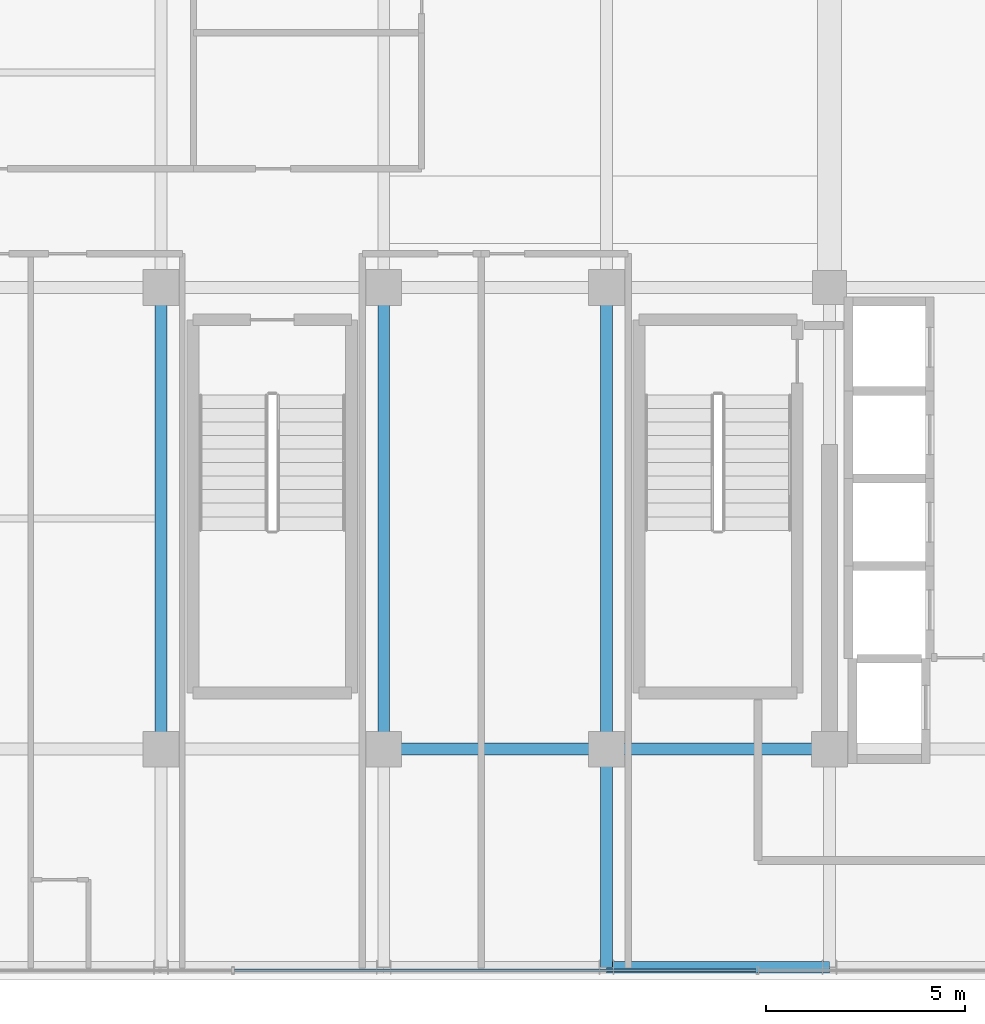
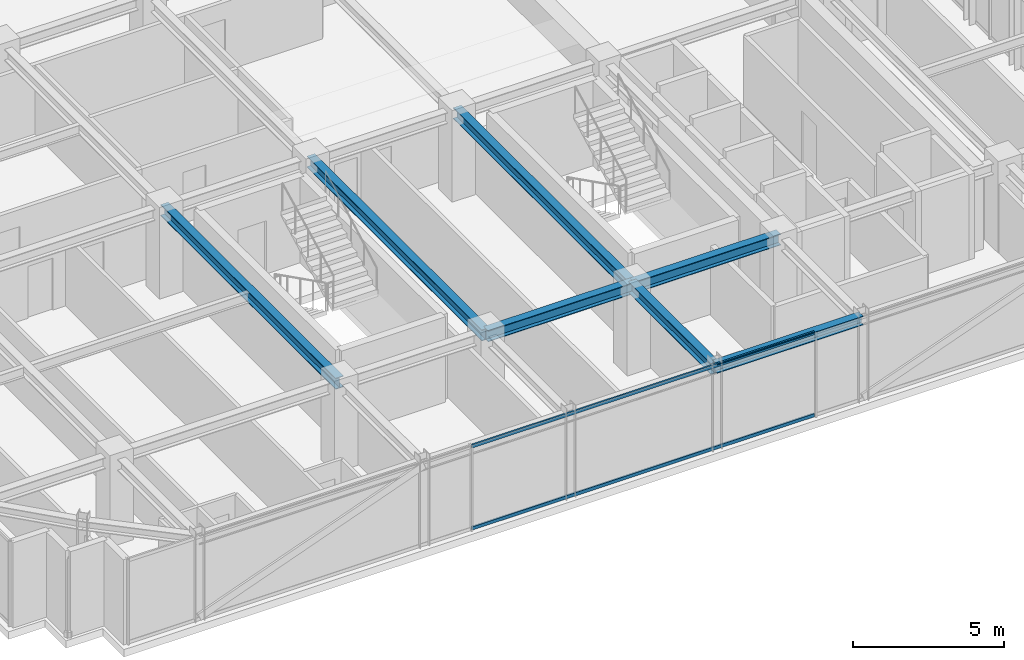
# One storey, part 7 of 36: 7 beams, 2 members, 1 element without a shape of its own.
"""IFC4 building model written with IfcOpenShell, lengths in metres."""

from ifc_helpers import new_model, si_unit, direction, frame, origin, origin_2d, place, context, subcontext, project, spatial, hollow_rectangle, i_section, extrude, source, transform, mapped, material, material_profile, profile_set, type_object, element, aggregate, save


model = new_model("IFC4")

# Units and contexts
model_context = context("Model", 3, precision=1e-05, world=origin(), true_north=direction((0.0, 1.0)))
body_context = subcontext(model_context, "Body", "Model", "MODEL_VIEW")
ifc_project = project(units=[si_unit("LENGTHUNIT", "METRE"), si_unit("AREAUNIT", "SQUARE_METRE"), si_unit("VOLUMEUNIT", "CUBIC_METRE"), si_unit("PLANEANGLEUNIT", "RADIAN"), si_unit("MASSUNIT", "GRAM", prefix="KILO")], contexts=[model_context])

# Site, building, storey
site_placement = place(None, origin())
site = spatial("IfcSite", under=ifc_project, at=site_placement, CompositionType="ELEMENT")
building_placement = place(site_placement, origin())
building = spatial("IfcBuilding", under=site, at=building_placement, Name="Nahalor Promenade Grand Hotel", CompositionType="ELEMENT")
storey_placement = place(building_placement, frame((0.0, 0.0, 273.800048828125)))
storey = spatial("IfcBuildingStorey", under=building, at=storey_placement, Name="L70", CompositionType="ELEMENT", Elevation=273.800048828125)

# Beams
ifc_material_1 = material(Name="Steel S355JR", Category="steel")
ifc_material_profile_1 = material_profile(ifc_material_1, i_section(OverallWidth=0.3, OverallDepth=0.45, WebThickness=0.014, FlangeThickness=0.026, at=origin_2d()), Name="HEB 450")
ifc_profile_set_1 = profile_set([ifc_material_profile_1], Name="Steel S355JR")
beam_type_1 = type_object("IfcBeamType", Name="Beam-Girder-HEB450", PredefinedType="BEAM", material=ifc_profile_set_1)
shared_shape_1 = source(origin(), body_context, "Body", "SweptSolid", [
    extrude(i_section(OverallWidth=0.3, OverallDepth=0.45, WebThickness=0.014, FlangeThickness=0.026, at=origin_2d()), origin(), (0.0, 0.0, 1.0), 5.599853515625),
])
beam_1_placement = place(storey_placement, frame((2.800048828125, -17.0, 3.224853515625), z_axis=(1.0, 0.0, 0.0), x_axis=(0.0, 1.0, 0.0)))
element("IfcBeam", 1, at=beam_1_placement, inside=storey, type_object=beam_type_1, Name="BM-L70-GX-0-4", PredefinedType="BEAM", context=body_context, shape_type="MappedRepresentation", body=[
    mapped(shared_shape_1, transform((0.0, 0.0, 0.0), scale=1.0)),
])
shared_shape_2 = source(origin(), body_context, "Body", "SweptSolid", [
    extrude(i_section(OverallWidth=0.3, OverallDepth=0.45, WebThickness=0.014, FlangeThickness=0.026, at=origin_2d()), origin(), (0.0, 0.0, 1.0), 5.60009765625),
])
beam_2_placement = place(storey_placement, frame((-2.800048828125, -17.0, 3.224853515625), z_axis=(1.0, 0.0, 0.0), x_axis=(0.0, 1.0, 0.0)))
element("IfcBeam", 2, at=beam_2_placement, inside=storey, type_object=beam_type_1, Name="BM-L70-GX-0-3", PredefinedType="BEAM", context=body_context, shape_type="MappedRepresentation", body=[
    mapped(shared_shape_2, transform((0.0, 0.0, 0.0), scale=1.0)),
])
shared_shape_3 = source(origin(), body_context, "Body", "SweptSolid", [
    extrude(i_section(OverallWidth=0.3, OverallDepth=0.45, WebThickness=0.014, FlangeThickness=0.026, at=origin_2d()), origin(), (0.0, 0.0, 1.0), 11.60009765625),
])
for number, where, z_axis, x_axis, name in (
    (3, (-8.39990234375, -17.0, 3.224853515625), (0.0, 1.0, 0.0), (-1.0, 0.0, 0.0), "BM-L70-GY-1-1"),
    (4, (-2.800048828125, -17.0, 3.224853515625), (0.0, 1.0, 0.0), (-1.0, 0.0, 0.0), "BM-L70-GY-2-1"),
    (5, (2.800048828125, -17.0, 3.224853515625), (0.0, 1.0, 0.0), (-1.0, 0.0, 0.0), "BM-L70-GY-3-1"),
):
    element("IfcBeam", number, at=place(storey_placement, frame(where, z_axis=z_axis, x_axis=x_axis)), inside=storey, type_object=beam_type_1, Name=name, PredefinedType="BEAM", context=body_context, shape_type="MappedRepresentation", body=[
        mapped(shared_shape_3, transform((0.0, 0.0, 0.0), scale=1.0)),
    ])
shared_shape_4 = source(origin(), body_context, "Body", "SweptSolid", [
    extrude(i_section(OverallWidth=0.3, OverallDepth=0.45, WebThickness=0.014, FlangeThickness=0.026, at=origin_2d()), origin(), (0.0, 0.0, 1.0), 5.47998046875),
])
beam_3_placement = place(storey_placement, frame((2.800048828125, -22.47998046875, 3.224853515625), z_axis=(0.0, 1.0, 0.0), x_axis=(-1.0, 0.0, 0.0)))
element("IfcBeam", 6, at=beam_3_placement, inside=storey, type_object=beam_type_1, Name="BM-L70-GY-3-0", PredefinedType="BEAM", context=body_context, shape_type="MappedRepresentation", body=[
    mapped(shared_shape_4, transform((0.0, 0.0, 0.0), scale=1.0)),
])
ifc_material_profile_2 = material_profile(ifc_material_1, i_section(OverallWidth=0.3, OverallDepth=0.36, WebThickness=0.0125, FlangeThickness=0.0225, at=origin_2d()), Name="HEB 360")
ifc_profile_set_2 = profile_set([ifc_material_profile_2], Name="Steel S355JR")
beam_type_2 = type_object("IfcBeamType", Name="Beam-Spandrel-HEB360", PredefinedType="SPANDREL", material=ifc_profile_set_2)
shared_shape_5 = source(origin(), body_context, "Body", "SweptSolid", [
    extrude(i_section(OverallWidth=0.3, OverallDepth=0.36, WebThickness=0.0125, FlangeThickness=0.0225, at=origin_2d()), origin(), (0.0, 0.0, 1.0), 5.599853515625),
])
beam_4_placement = place(storey_placement, frame((2.800048828125, -22.47998046875, 3.27001953125), z_axis=(1.0, 0.0, 0.0), x_axis=(0.0, 1.0, 0.0)))
element("IfcBeam", 7, at=beam_4_placement, inside=storey, type_object=beam_type_2, Name="BM-L70-SP-S-3", PredefinedType="SPANDREL", context=body_context, shape_type="MappedRepresentation", body=[
    mapped(shared_shape_5, transform((0.0, 0.0, 0.0), scale=1.0)),
])

# Curtain wall, members
ifc_material_2 = material(Name="Anodised Bronze Aluminium EN AW-6063 T6", Category="aluminium")
curtain_wall_type = type_object("IfcCurtainWallType", Name="CW2 Typical Hotel Flush Bronze Unitised Curtain Wall", PredefinedType="USERDEFINED", material=ifc_material_2)
curtain_wall_placement = place(storey_placement, origin())
curtain_wall = element("IfcCurtainWall", 8, at=curtain_wall_placement, inside=storey, type_object=curtain_wall_type, Name="L70 Curtain Wall CW-L70-S-1", ObjectType="UNITISED_CURTAIN_WALL", PredefinedType="USERDEFINED")
ifc_material_profile_3 = material_profile(ifc_material_2, hollow_rectangle(XDim=0.065, YDim=0.13, WallThickness=0.004, at=origin_2d()), Name="CWT 65x130x4")
ifc_profile_set_3 = profile_set([ifc_material_profile_3], Name="Anodised Bronze Aluminium EN AW-6063 T6")
member_type = type_object("IfcMemberType", Name="CWT2 Typical Bronze Transom 65x130", PredefinedType="USERDEFINED", material=ifc_profile_set_3)
shared_shape_6 = source(origin(), body_context, "Body", "SweptSolid", [
    extrude(hollow_rectangle(XDim=0.065, YDim=0.13, WallThickness=0.004, at=origin_2d()), origin(), (0.0, 0.0, 1.0), 13.1083984375),
])
member_1_placement = place(storey_placement, frame((-6.55419921875, -22.56005859375, 0.06494140625), z_axis=(1.0, 0.0, 0.0), x_axis=(0.0, 1.0, 0.0)))
member_1 = element("IfcMember", 9, at=member_1_placement, type_object=member_type, Name="CW-L70-S-1 Transom 1-0", ObjectType="TRANSOM", PredefinedType="USERDEFINED", context=body_context, shape_type="MappedRepresentation", body=[
    mapped(shared_shape_6, transform((0.0, 0.0, 0.0), scale=1.0)),
])
member_2_placement = place(storey_placement, frame((-6.55419921875, -22.56005859375, 3.385009765625), z_axis=(1.0, 0.0, 0.0), x_axis=(0.0, 1.0, 0.0)))
member_2 = element("IfcMember", 10, at=member_2_placement, type_object=member_type, Name="CW-L70-S-1 Transom 1-1", ObjectType="TRANSOM", PredefinedType="USERDEFINED", context=body_context, shape_type="MappedRepresentation", body=[
    mapped(shared_shape_6, transform((0.0, 0.0, 0.0), scale=1.0)),
])
aggregate(curtain_wall, [member_1, member_2])

save(model, "model.ifc")
